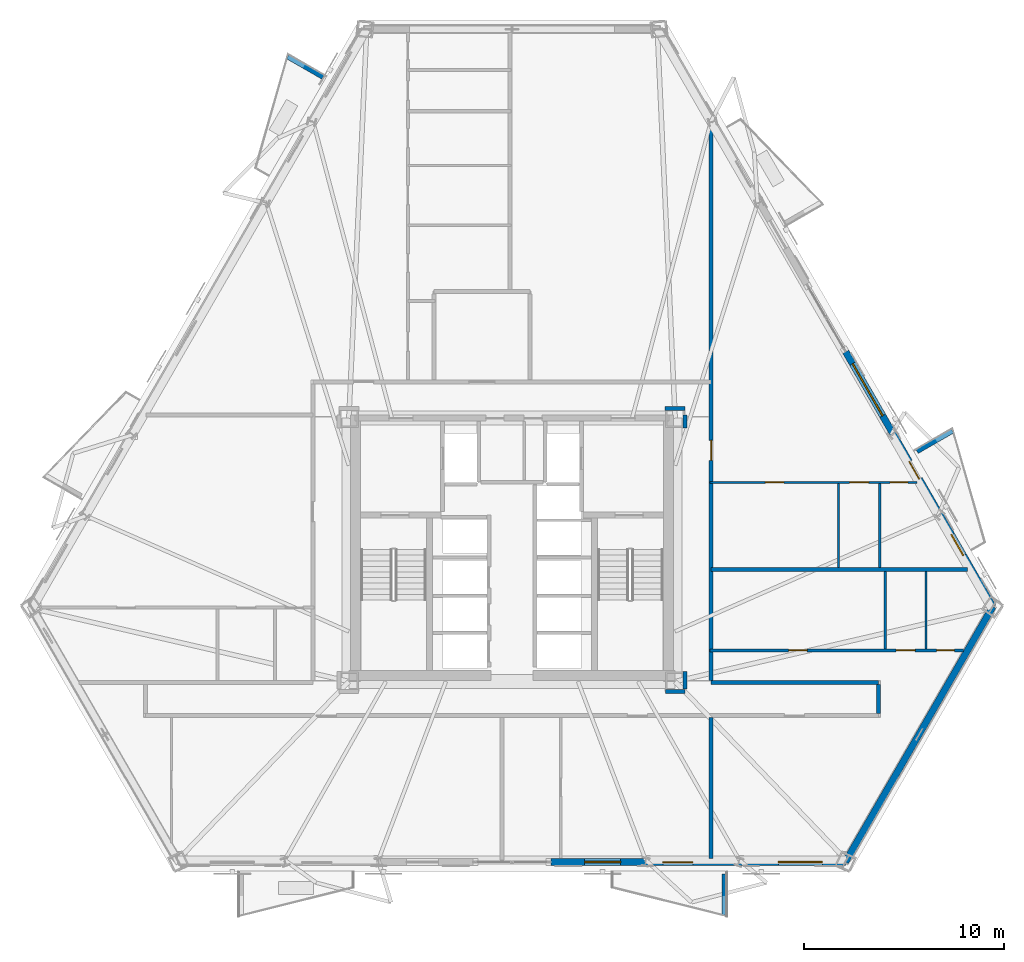
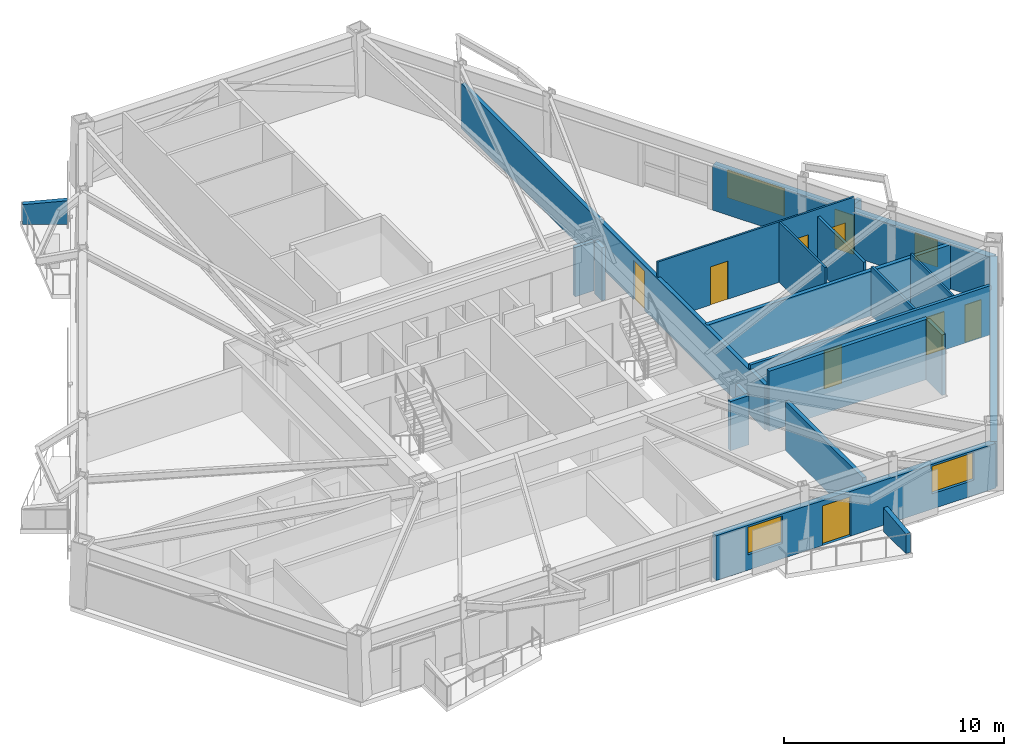
# One storey, part 8 of 15: 21 walls, 9 doors, 4 windows, 13 openings.
"""IFC4 building model written with IfcOpenShell, lengths in metres."""

from ifc_helpers import new_model, si_unit, direction, frame, frame_2d, origin, place, context, subcontext, project, spatial, polyline, rectangle, outline, extrude, material, layer, layer_set, type_object, element, fill, save


model = new_model("IFC4")

# Units and contexts
model_context = context("Model", 3, precision=1e-05, world=origin(), true_north=direction((0.0, 1.0)))
body_context = subcontext(model_context, "Body", "Model", "MODEL_VIEW")
ifc_project = project(units=[si_unit("LENGTHUNIT", "METRE"), si_unit("AREAUNIT", "SQUARE_METRE"), si_unit("VOLUMEUNIT", "CUBIC_METRE"), si_unit("PLANEANGLEUNIT", "RADIAN"), si_unit("MASSUNIT", "GRAM", prefix="KILO")], contexts=[model_context])

# Site, building, storey
site_placement = place(None, origin())
site = spatial("IfcSite", under=ifc_project, at=site_placement, CompositionType="ELEMENT")
building_placement = place(site_placement, origin())
building = spatial("IfcBuilding", under=site, at=building_placement, Name="Oramaril Tower", CompositionType="ELEMENT")
storey_placement = place(building_placement, frame((0.0, 0.0, 48.89990234375)))
storey = spatial("IfcBuildingStorey", under=building, at=storey_placement, Name="L12", CompositionType="ELEMENT", Elevation=48.89990234375)

# Wall, openings, door, windows
ifc_material_1 = material(Name="Warm Cream Limestone", Category="masonry")
ifc_layer_1 = layer(ifc_material_1, 0.340087890625)
ifc_layer_set_1 = layer_set([ifc_layer_1], Name="WT-EXT34")
wall_type_1 = type_object("IfcWallType", Name="WT-EXT34", PredefinedType="SOLIDWALL", material=ifc_layer_set_1)
wall_1_placement = place(storey_placement, frame((39.449951171875, 1.978271484375, 0.0), z_axis=(0.0, 0.0, 1.0), x_axis=(1.0, 0.0, 0.0)))
wall_1 = element("IfcWall", 1, at=wall_1_placement, inside=storey, type_object=wall_type_1, Name="L12 Tower Limestone Facade Wall 2R", PredefinedType="SOLIDWALL", context=body_context, shape_type="SweptSolid", body=[
    extrude(rectangle(XDim=14.704345703125, YDim=0.340087890625, at=frame_2d((7.35205078125, 0.0))), origin(), (0.0, 0.0, 1.0), 2.494140625),
])
opening_1_placement = place(wall_1_placement, frame((5.58984375, 0.0, 0.0)))
opening_1 = element("IfcOpeningElement", 2, at=opening_1_placement, cuts=wall_1, Name="Opening D-L12-BAL-S2", PredefinedType="OPENING", context=body_context, shape_type="SweptSolid", body=[
    extrude(rectangle(XDim=1.5, YDim=2.199951171875, at=frame_2d((0.75, 1.10009765625))), frame((0.0, 0.169921875, 0.0), z_axis=(0.0, -1.0, 0.0), x_axis=(1.0, 0.0, 0.0)), (0.0, 0.0, 1.0), 0.340087890625),
])
opening_2_placement = place(wall_1_placement, frame((1.675537109375, 0.0, 0.85009765625)))
opening_2 = element("IfcOpeningElement", 3, at=opening_2_placement, cuts=wall_1, Name="Opening WN-06", PredefinedType="OPENING", context=body_context, shape_type="SweptSolid", body=[
    extrude(rectangle(XDim=1.800048828125, YDim=1.533935546875, at=frame_2d((0.89990234375, 0.76708984375))), frame((0.0, 0.169921875, 0.0), z_axis=(0.0, -1.0, 0.0), x_axis=(1.0, 0.0, 0.0)), (0.0, 0.0, 1.0), 0.340087890625),
])
opening_3_placement = place(wall_1_placement, frame((11.352783203125, 0.0, 0.85009765625)))
opening_3 = element("IfcOpeningElement", 4, at=opening_3_placement, cuts=wall_1, Name="Opening WN-04", PredefinedType="OPENING", context=body_context, shape_type="SweptSolid", body=[
    extrude(rectangle(XDim=2.199951171875, YDim=1.533935546875, at=frame_2d((1.10009765625, 0.76708984375))), frame((0.0, 0.169921875, 0.0), z_axis=(0.0, -1.0, 0.0), x_axis=(1.0, 0.0, 0.0)), (0.0, 0.0, 1.0), 0.340087890625),
])
ifc_material_2 = material(Name="Anodised Aluminium 6063-T6", Category="aluminium")
door_type_1 = type_object("IfcDoorType", Name="DT-BAL", OperationType="NOTDEFINED", PredefinedType="DOOR", material=ifc_material_2)
door_1_placement = place(opening_1_placement, origin())
door_1 = element("IfcDoor", 5, at=door_1_placement, inside=storey, type_object=door_type_1, Name="L12 Balcony Glazed Door L12-BAL-S2", OperationType="SINGLE_SWING_RIGHT", OverallHeight=2.199951171875, OverallWidth=1.5, PredefinedType="DOOR", context=body_context, shape_type="SweptSolid", body=[
    extrude(rectangle(XDim=1.5, YDim=2.199951171875, at=frame_2d((0.75, 1.10009765625))), frame((0.0, 0.02490234375, 0.0), z_axis=(0.0, -1.0, 0.0), x_axis=(1.0, 0.0, 0.0)), (0.0, 0.0, 1.0), 0.050048828125),
])
fill(opening_1, door_1)
ifc_material_3 = material(Name="Coastal Low-E Insulated Glass", Category="glass")
window_type_1 = type_object("IfcWindowType", Name="WNT-04", PartitioningType="SINGLE_PANEL", PredefinedType="WINDOW", material=ifc_material_3)
window_1_placement = place(opening_3_placement, origin())
window_1 = element("IfcWindow", 6, at=window_1_placement, inside=storey, type_object=window_type_1, Name="L12 Chicago Bay Window WN-04", OverallHeight=1.533935546875, OverallWidth=2.199951171875, PartitioningType="SINGLE_PANEL", PredefinedType="WINDOW", context=body_context, shape_type="SweptSolid", body=[
    extrude(rectangle(XDim=2.199951171875, YDim=1.533935546875, at=frame_2d((1.10009765625, 0.76708984375))), frame((0.0, 0.030029296875, 0.0), z_axis=(0.0, -1.0, 0.0), x_axis=(1.0, 0.0, 0.0)), (0.0, 0.0, 1.0), 0.06005859375),
])
fill(opening_3, window_1)
ifc_material_4 = material(Name="Coastal Low-E Insulated Glass", Category="glass")
window_type_2 = type_object("IfcWindowType", Name="WNT-06", PartitioningType="SINGLE_PANEL", PredefinedType="WINDOW", material=ifc_material_4)
window_2_placement = place(opening_2_placement, origin())
window_2 = element("IfcWindow", 7, at=window_2_placement, inside=storey, type_object=window_type_2, Name="L12 Chicago Bay Window WN-06", OverallHeight=1.533935546875, OverallWidth=1.800048828125, PartitioningType="SINGLE_PANEL", PredefinedType="WINDOW", context=body_context, shape_type="SweptSolid", body=[
    extrude(rectangle(XDim=1.800048828125, YDim=1.533935546875, at=frame_2d((0.89990234375, 0.76708984375))), frame((0.0, 0.030029296875, 0.0), z_axis=(0.0, -1.0, 0.0), x_axis=(1.0, 0.0, 0.0)), (0.0, 0.0, 1.0), 0.06005859375),
])
fill(opening_2, window_2)

# Wall
wall_2_placement = place(storey_placement, frame((54.154296875, 1.978271484375, 0.0), z_axis=(0.0, 0.0, 1.0), x_axis=(0.499999290135, 0.866025813625, 0.0)))
element("IfcWall", 8, at=wall_2_placement, inside=storey, type_object=wall_type_1, Name="L12 Tower Limestone Facade Wall 3M", PredefinedType="SOLIDWALL", context=body_context, shape_type="SweptSolid", body=[
    extrude(rectangle(XDim=14.7333984375, YDim=0.340087890625, at=frame_2d((7.36669921875, 0.0))), origin(), (0.0, 0.0, 1.0), 2.494140625),
])

# Wall, openings, door, windows
wall_3_placement = place(storey_placement, frame((61.52099609375, 14.73779296875, 0.0), z_axis=(0.0, 0.0, 1.0), x_axis=(-0.499992652499, 0.866029645824, 0.0)))
wall_3 = element("IfcWall", 9, at=wall_3_placement, inside=storey, type_object=wall_type_1, Name="L12 Tower Limestone Facade Wall 4L", PredefinedType="SOLIDWALL", context=body_context, shape_type="SweptSolid", body=[
    extrude(rectangle(XDim=14.704345703125, YDim=0.340087890625, at=frame_2d((7.35205078125, 0.0))), origin(), (0.0, 0.0, 1.0), 2.494140625),
])
opening_4_placement = place(wall_3_placement, frame((7.359375, 0.0, 0.0)))
opening_4 = element("IfcOpeningElement", 10, at=opening_4_placement, cuts=wall_3, Name="Opening D-L12-BAL-NE1", PredefinedType="OPENING", context=body_context, shape_type="SweptSolid", body=[
    extrude(rectangle(XDim=1.0, YDim=2.179931640625, at=frame_2d((0.5, 1.08984375))), frame((0.0, 0.169921875, 0.0), z_axis=(0.0, -1.0, 0.0), x_axis=(1.0, 0.0, 0.0)), (0.0, 0.0, 1.0), 0.340087890625),
])
opening_5_placement = place(wall_3_placement, frame((11.0146484375, 0.0, 0.85009765625)))
opening_5 = element("IfcOpeningElement", 11, at=opening_5_placement, cuts=wall_3, Name="Opening WN-10", PredefinedType="OPENING", context=body_context, shape_type="SweptSolid", body=[
    extrude(rectangle(XDim=3.0, YDim=1.533935546875, at=frame_2d((1.5, 0.76708984375))), frame((0.0, 0.169921875, 0.0), z_axis=(0.0, -1.0, 0.0), x_axis=(1.0, 0.0, 0.0)), (0.0, 0.0, 1.0), 0.340087890625),
])
opening_6_placement = place(wall_3_placement, frame((2.95458984375, 0.0, 0.85009765625)))
opening_6 = element("IfcOpeningElement", 12, at=opening_6_placement, cuts=wall_3, Name="Opening WN-09", PredefinedType="OPENING", context=body_context, shape_type="SweptSolid", body=[
    extrude(rectangle(XDim=1.199951171875, YDim=1.47998046875, at=frame_2d((0.60009765625, 0.739990234375))), frame((0.0, 0.169921875, 0.0), z_axis=(0.0, -1.0, 0.0), x_axis=(1.0, 0.0, 0.0)), (0.0, 0.0, 1.0), 0.340087890625),
])
ifc_material_5 = material(Name="Anodised Aluminium 6063-T6", Category="aluminium")
door_type_2 = type_object("IfcDoorType", Name="DT-BALN", OperationType="NOTDEFINED", PredefinedType="DOOR", material=ifc_material_5)
door_2_placement = place(opening_4_placement, origin())
door_2 = element("IfcDoor", 13, at=door_2_placement, inside=storey, type_object=door_type_2, Name="L12 Balcony Glazed Door L12-BAL-NE1", OperationType="SINGLE_SWING_LEFT", OverallHeight=2.179931640625, OverallWidth=1.0, PredefinedType="DOOR", context=body_context, shape_type="SweptSolid", body=[
    extrude(rectangle(XDim=1.0, YDim=2.179931640625, at=frame_2d((0.5, 1.08984375))), frame((0.0, 0.02490234375, 0.0), z_axis=(0.0, -1.0, 0.0), x_axis=(1.0, 0.0, 0.0)), (0.0, 0.0, 1.0), 0.050048828125),
])
fill(opening_4, door_2)
ifc_material_6 = material(Name="Coastal Low-E Insulated Glass", Category="glass")
window_type_3 = type_object("IfcWindowType", Name="WNT-09", PartitioningType="SINGLE_PANEL", PredefinedType="WINDOW", material=ifc_material_6)
window_3_placement = place(opening_6_placement, origin())
window_3 = element("IfcWindow", 14, at=window_3_placement, inside=storey, type_object=window_type_3, Name="L12 Chicago Bay Window WN-09", OverallHeight=1.47998046875, OverallWidth=1.199951171875, PartitioningType="SINGLE_PANEL", PredefinedType="WINDOW", context=body_context, shape_type="SweptSolid", body=[
    extrude(rectangle(XDim=1.199951171875, YDim=1.47998046875, at=frame_2d((0.60009765625, 0.739990234375))), frame((0.0, 0.030029296875, 0.0), z_axis=(0.0, -1.0, 0.0), x_axis=(1.0, 0.0, 0.0)), (0.0, 0.0, 1.0), 0.06005859375),
])
fill(opening_6, window_3)
ifc_material_7 = material(Name="Coastal Low-E Insulated Glass", Category="glass")
window_type_4 = type_object("IfcWindowType", Name="WNT-10", PartitioningType="SINGLE_PANEL", PredefinedType="WINDOW", material=ifc_material_7)
window_4_placement = place(opening_5_placement, origin())
window_4 = element("IfcWindow", 15, at=window_4_placement, inside=storey, type_object=window_type_4, Name="L12 Chicago Bay Window WN-10", OverallHeight=1.533935546875, OverallWidth=3.0, PartitioningType="SINGLE_PANEL", PredefinedType="WINDOW", context=body_context, shape_type="SweptSolid", body=[
    extrude(rectangle(XDim=3.0, YDim=1.533935546875, at=frame_2d((1.5, 0.76708984375))), frame((0.0, 0.030029296875, 0.0), z_axis=(0.0, -1.0, 0.0), x_axis=(1.0, 0.0, 0.0)), (0.0, 0.0, 1.0), 0.06005859375),
])
fill(opening_5, window_4)

# Walls
ifc_material_8 = material(Name="Concrete C40/50", Category="concrete")
ifc_layer_2 = layer(ifc_material_8, 0.22998046875)
ifc_layer_set_2 = layer_set([ifc_layer_2], Name="WT-PRP23")
wall_type_2 = type_object("IfcWallType", Name="WT-PRP23", PredefinedType="PARAPET", material=ifc_layer_set_2)
for number, where, z_axis, x_axis, name in (
    (16, (48.114990234375, 1.38037109375, 0.0), (0.0, 0.0, 1.0), (0.0, -1.0, 0.0), "L12 Trapezoidal Balcony Frame Cheek L12-BAL-S2-R"),
    (17, (57.73681640625, 22.48828125, 0.0), (0.0, 0.0, 1.0), (0.86596058014, 0.500112261042, 0.0), "L12 Trapezoidal Balcony Frame Cheek L12-BAL-NE1-R"),
    (18, (28.05810546875, 41.185791015625, 0.0), (0.0, 0.0, 1.0), (-0.866012356593, 0.500022597718, 0.0), "L12 Trapezoidal Balcony Frame Cheek L12-BAL-NW1-L"),
):
    element("IfcWall", number, at=place(storey_placement, frame(where, z_axis=z_axis, x_axis=x_axis)), inside=storey, type_object=wall_type_2, Name=name, PredefinedType="PARAPET", context=body_context, shape_type="SweptSolid", body=[
        extrude(outline(polyline([(0.0, 0.0), (2.0419921875, 0.0), (2.0419921875, 1.10009765625), (0.0, 1.320068359375), (0.0, 0.0)])), frame((0.0, 0.114990234375, 0.0), z_axis=(0.0, -1.0, 0.0), x_axis=(1.0, 0.0, 0.0)), (0.0, 0.0, 1.0), 0.22998046875),
    ])

# Wall, openings, doors
ifc_material_9 = material(Name="Acoustic Gypsum Board Partition")
ifc_layer_3 = layer(ifc_material_9, 0.10009765625)
ifc_layer_set_3 = layer_set([ifc_layer_3], Name="WT-PT10")
wall_type_3 = type_object("IfcWallType", Name="WT-PT10", PredefinedType="PARTITIONING", material=ifc_layer_set_3)
wall_4_placement = place(storey_placement, frame((47.39990234375, 20.949951171875, 0.0), z_axis=(0.0, 0.0, 1.0), x_axis=(1.0, 0.0, 0.0)))
wall_4 = element("IfcWall", 19, at=wall_4_placement, inside=storey, type_object=wall_type_3, Name="L12 Interior Partition PT-10", PredefinedType="PARTITIONING", context=body_context, shape_type="SweptSolid", body=[
    extrude(rectangle(XDim=10.33349609375, YDim=0.10009765625, at=frame_2d((5.166748046875, 0.0))), origin(), (0.0, 0.0, 1.0), 3.360107421875),
])
opening_7_placement = place(wall_4_placement, frame((2.760498046875, 0.0, 0.0)))
opening_7 = element("IfcOpeningElement", 20, at=opening_7_placement, cuts=wall_4, Name="Opening D-L12-10", PredefinedType="OPENING", context=body_context, shape_type="SweptSolid", body=[
    extrude(rectangle(XDim=0.919921875, YDim=2.1201171875, at=frame_2d((0.4599609375, 1.06005859375))), frame((0.0, 0.050048828125, 0.0), z_axis=(0.0, -1.0, 0.0), x_axis=(1.0, 0.0, 0.0)), (0.0, 0.0, 1.0), 0.10009765625),
])
opening_8_placement = place(wall_4_placement, frame((6.97119140625, 0.0, 0.0)))
opening_8 = element("IfcOpeningElement", 21, at=opening_8_placement, cuts=wall_4, Name="Opening D-L12-11", PredefinedType="OPENING", context=body_context, shape_type="SweptSolid", body=[
    extrude(rectangle(XDim=0.949951171875, YDim=2.10009765625, at=frame_2d((0.47509765625, 1.050048828125))), frame((0.0, 0.050048828125, 0.0), z_axis=(0.0, -1.0, 0.0), x_axis=(1.0, 0.0, 0.0)), (0.0, 0.0, 1.0), 0.10009765625),
])
opening_9_placement = place(wall_4_placement, frame((8.9912109375, 0.0, 0.0)))
opening_9 = element("IfcOpeningElement", 22, at=opening_9_placement, cuts=wall_4, Name="Opening D-L12-12", PredefinedType="OPENING", context=body_context, shape_type="SweptSolid", body=[
    extrude(rectangle(XDim=0.8798828125, YDim=2.080078125, at=frame_2d((0.43994140625, 1.0400390625))), frame((0.0, 0.050048828125, 0.0), z_axis=(0.0, -1.0, 0.0), x_axis=(1.0, 0.0, 0.0)), (0.0, 0.0, 1.0), 0.10009765625),
])
ifc_material_10 = material(Name="FSC Brazilian Freijo Hardwood", Category="wood")
door_type_3 = type_object("IfcDoorType", Name="DT-BATH", OperationType="NOTDEFINED", PredefinedType="DOOR", material=ifc_material_10)
door_3_placement = place(opening_9_placement, origin())
door_3 = element("IfcDoor", 23, at=door_3_placement, inside=storey, type_object=door_type_3, Name="L12 Flat L12-U5 Bathroom Door D-L12-12", OperationType="SINGLE_SWING_LEFT", OverallHeight=2.080078125, OverallWidth=0.8798828125, PredefinedType="DOOR", context=body_context, shape_type="SweptSolid", body=[
    extrude(rectangle(XDim=0.8798828125, YDim=2.080078125, at=frame_2d((0.43994140625, 1.0400390625))), frame((0.0, 0.02490234375, 0.0), z_axis=(0.0, -1.0, 0.0), x_axis=(1.0, 0.0, 0.0)), (0.0, 0.0, 1.0), 0.050048828125),
])
fill(opening_9, door_3)
ifc_material_11 = material(Name="FSC Brazilian Freijo Hardwood", Category="wood")
door_type_4 = type_object("IfcDoorType", Name="DT-BED", OperationType="NOTDEFINED", PredefinedType="DOOR", material=ifc_material_11)
door_4_placement = place(opening_7_placement, origin())
door_4 = element("IfcDoor", 24, at=door_4_placement, inside=storey, type_object=door_type_4, Name="L12 Flat L12-U5 Master Bedroom Door D-L12-10", OperationType="SINGLE_SWING_LEFT", OverallHeight=2.1201171875, OverallWidth=0.919921875, PredefinedType="DOOR", context=body_context, shape_type="SweptSolid", body=[
    extrude(rectangle(XDim=0.919921875, YDim=2.1201171875, at=frame_2d((0.4599609375, 1.06005859375))), frame((0.0, 0.02490234375, 0.0), z_axis=(0.0, -1.0, 0.0), x_axis=(1.0, 0.0, 0.0)), (0.0, 0.0, 1.0), 0.050048828125),
])
fill(opening_7, door_4)
ifc_material_12 = material(Name="FSC Brazilian Freijo Hardwood", Category="wood")
door_type_5 = type_object("IfcDoorType", Name="DT-STDY", OperationType="NOTDEFINED", PredefinedType="DOOR", material=ifc_material_12)
door_5_placement = place(opening_8_placement, origin())
door_5 = element("IfcDoor", 25, at=door_5_placement, inside=storey, type_object=door_type_5, Name="L12 Flat L12-U5 Kitchen Door D-L12-11", OperationType="SINGLE_SWING_RIGHT", OverallHeight=2.10009765625, OverallWidth=0.949951171875, PredefinedType="DOOR", context=body_context, shape_type="SweptSolid", body=[
    extrude(rectangle(XDim=0.949951171875, YDim=2.10009765625, at=frame_2d((0.47509765625, 1.050048828125))), frame((0.0, 0.02490234375, 0.0), z_axis=(0.0, -1.0, 0.0), x_axis=(1.0, 0.0, 0.0)), (0.0, 0.0, 1.0), 0.050048828125),
])
fill(opening_8, door_5)

# Walls
wall_5_placement = place(storey_placement, frame((53.820068359375, 16.7041015625, 0.0), z_axis=(0.0, 0.0, 1.0), x_axis=(0.0, 1.0, 0.0)))
element("IfcWall", 26, at=wall_5_placement, inside=storey, type_object=wall_type_3, Name="L12 Interior Partition PT-10", PredefinedType="PARTITIONING", context=body_context, shape_type="SweptSolid", body=[
    extrude(rectangle(XDim=4.19189453125, YDim=0.10009765625, at=frame_2d((2.095947265625, 0.0))), origin(), (0.0, 0.0, 1.0), 3.360107421875),
])
wall_6_placement = place(storey_placement, frame((58.18994140625, 12.634033203125, 0.0), z_axis=(0.0, 0.0, 1.0), x_axis=(0.0, 1.0, 0.0)))
element("IfcWall", 27, at=wall_6_placement, inside=storey, type_object=wall_type_3, Name="L12 Interior Partition PT-10", PredefinedType="PARTITIONING", context=body_context, shape_type="SweptSolid", body=[
    extrude(rectangle(XDim=3.862060546875, YDim=0.10009765625, at=frame_2d((1.93115234375, 0.0))), origin(), (0.0, 0.0, 1.0), 2.738037109375),
])
ifc_material_13 = material(Name="Acoustic Gypsum Board Partition")
ifc_layer_4 = layer(ifc_material_13, 0.1201171875)
ifc_layer_set_4 = layer_set([ifc_layer_4], Name="WT-PT12")
wall_type_4 = type_object("IfcWallType", Name="WT-PT12", PredefinedType="PARTITIONING", material=ifc_layer_set_4)
wall_7_placement = place(storey_placement, frame((56.139892578125, 12.634033203125, 0.0), z_axis=(0.0, 0.0, 1.0), x_axis=(0.0, 1.0, 0.0)))
element("IfcWall", 28, at=wall_7_placement, inside=storey, type_object=wall_type_4, Name="L12 Interior Partition PT-12", PredefinedType="PARTITIONING", context=body_context, shape_type="SweptSolid", body=[
    extrude(rectangle(XDim=3.862060546875, YDim=0.1201171875, at=frame_2d((1.93115234375, 0.0))), origin(), (0.0, 0.0, 1.0), 2.738037109375),
])
ifc_material_14 = material(Name="Acoustic Gypsum Board Partition")
ifc_layer_5 = layer(ifc_material_14, 0.139892578125)
ifc_layer_set_5 = layer_set([ifc_layer_5], Name="WT-PT14")
wall_type_5 = type_object("IfcWallType", Name="WT-PT14", PredefinedType="PARTITIONING", material=ifc_layer_set_5)
wall_8_placement = place(storey_placement, frame((55.8701171875, 16.7041015625, 0.0), z_axis=(0.0, 0.0, 1.0), x_axis=(0.0, 1.0, 0.0)))
element("IfcWall", 29, at=wall_8_placement, inside=storey, type_object=wall_type_5, Name="L12 Interior Partition PT-14", PredefinedType="PARTITIONING", context=body_context, shape_type="SweptSolid", body=[
    extrude(rectangle(XDim=4.19189453125, YDim=0.139892578125, at=frame_2d((2.095947265625, 0.0))), origin(), (0.0, 0.0, 1.0), 2.946044921875),
])

# Wall, openings, doors
ifc_material_15 = material(Name="Acoustic Gypsum Board Partition")
ifc_layer_6 = layer(ifc_material_15, 0.159912109375)
ifc_layer_set_6 = layer_set([ifc_layer_6], Name="WT-PT16")
wall_type_6 = type_object("IfcWallType", Name="WT-PT16", PredefinedType="PARTITIONING", material=ifc_layer_set_6)
wall_9_placement = place(storey_placement, frame((47.39990234375, 12.550048828125, 0.0), z_axis=(0.0, 0.0, 1.0), x_axis=(1.0, 0.0, 0.0)))
wall_9 = element("IfcWall", 30, at=wall_9_placement, inside=storey, type_object=wall_type_6, Name="L12 Interior Partition PT-16", PredefinedType="PARTITIONING", context=body_context, shape_type="SweptSolid", body=[
    extrude(rectangle(XDim=12.656982421875, YDim=0.159912109375, at=frame_2d((6.32861328125, 0.0))), origin(), (0.0, 0.0, 1.0), 2.738037109375),
])
opening_10_placement = place(wall_9_placement, frame((3.921630859375, 0.0, 0.0)))
opening_10 = element("IfcOpeningElement", 31, at=opening_10_placement, cuts=wall_9, Name="Opening D-L12-04", PredefinedType="OPENING", context=body_context, shape_type="SweptSolid", body=[
    extrude(rectangle(XDim=0.919921875, YDim=2.1201171875, at=frame_2d((0.4599609375, 1.06005859375))), frame((0.0, 0.080078125, 0.0), z_axis=(0.0, -1.0, 0.0), x_axis=(1.0, 0.0, 0.0)), (0.0, 0.0, 1.0), 0.159912109375),
])
opening_11_placement = place(wall_9_placement, frame((9.29345703125, 0.0, 0.0)))
opening_11 = element("IfcOpeningElement", 32, at=opening_11_placement, cuts=wall_9, Name="Opening D-L12-05", PredefinedType="OPENING", context=body_context, shape_type="SweptSolid", body=[
    extrude(rectangle(XDim=0.949951171875, YDim=2.10009765625, at=frame_2d((0.47509765625, 1.050048828125))), frame((0.0, 0.080078125, 0.0), z_axis=(0.0, -1.0, 0.0), x_axis=(1.0, 0.0, 0.0)), (0.0, 0.0, 1.0), 0.159912109375),
])
opening_12_placement = place(wall_9_placement, frame((11.3134765625, 0.0, 0.0)))
opening_12 = element("IfcOpeningElement", 33, at=opening_12_placement, cuts=wall_9, Name="Opening D-L12-06", PredefinedType="OPENING", context=body_context, shape_type="SweptSolid", body=[
    extrude(rectangle(XDim=0.8798828125, YDim=2.080078125, at=frame_2d((0.43994140625, 1.0400390625))), frame((0.0, 0.080078125, 0.0), z_axis=(0.0, -1.0, 0.0), x_axis=(1.0, 0.0, 0.0)), (0.0, 0.0, 1.0), 0.159912109375),
])
door_6_placement = place(opening_12_placement, origin())
door_6 = element("IfcDoor", 34, at=door_6_placement, inside=storey, type_object=door_type_3, Name="L12 Flat L12-U4 Bathroom Door D-L12-06", OperationType="SINGLE_SWING_LEFT", OverallHeight=2.080078125, OverallWidth=0.8798828125, PredefinedType="DOOR", context=body_context, shape_type="SweptSolid", body=[
    extrude(rectangle(XDim=0.8798828125, YDim=2.080078125, at=frame_2d((0.43994140625, 1.0400390625))), frame((0.0, 0.02490234375, 0.0), z_axis=(0.0, -1.0, 0.0), x_axis=(1.0, 0.0, 0.0)), (0.0, 0.0, 1.0), 0.050048828125),
])
fill(opening_12, door_6)
door_7_placement = place(opening_10_placement, origin())
door_7 = element("IfcDoor", 35, at=door_7_placement, inside=storey, type_object=door_type_4, Name="L12 Flat L12-U4 Master Bedroom Door D-L12-04", OperationType="SINGLE_SWING_LEFT", OverallHeight=2.1201171875, OverallWidth=0.919921875, PredefinedType="DOOR", context=body_context, shape_type="SweptSolid", body=[
    extrude(rectangle(XDim=0.919921875, YDim=2.1201171875, at=frame_2d((0.4599609375, 1.06005859375))), frame((0.0, 0.02490234375, 0.0), z_axis=(0.0, -1.0, 0.0), x_axis=(1.0, 0.0, 0.0)), (0.0, 0.0, 1.0), 0.050048828125),
])
fill(opening_10, door_7)
door_8_placement = place(opening_11_placement, origin())
door_8 = element("IfcDoor", 36, at=door_8_placement, inside=storey, type_object=door_type_5, Name="L12 Flat L12-U4 Kitchen Door D-L12-05", OperationType="SINGLE_SWING_RIGHT", OverallHeight=2.10009765625, OverallWidth=0.949951171875, PredefinedType="DOOR", context=body_context, shape_type="SweptSolid", body=[
    extrude(rectangle(XDim=0.949951171875, YDim=2.10009765625, at=frame_2d((0.47509765625, 1.050048828125))), frame((0.0, 0.02490234375, 0.0), z_axis=(0.0, -1.0, 0.0), x_axis=(1.0, 0.0, 0.0)), (0.0, 0.0, 1.0), 0.050048828125),
])
fill(opening_11, door_8)

# Walls
ifc_material_16 = material(Name="Autoclaved Cellular Concrete Block", Category="concrete")
ifc_layer_7 = layer(ifc_material_16, 0.199951171875)
ifc_layer_set_7 = layer_set([ifc_layer_7], Name="WT-PT20")
wall_type_7 = type_object("IfcWallType", Name="WT-PT20", PredefinedType="PARTITIONING", material=ifc_layer_set_7)
wall_10_placement = place(storey_placement, frame((45.159912109375, 10.510009765625, 0.0), z_axis=(0.0, 0.0, 1.0), x_axis=(1.0, 0.0, 0.0)))
element("IfcWall", 37, at=wall_10_placement, inside=storey, type_object=wall_type_7, Name="L12 Interior Partition PT-20", PredefinedType="PARTITIONING", context=body_context, shape_type="SweptSolid", body=[
    extrude(rectangle(XDim=0.97998046875, YDim=0.199951171875, at=frame_2d((0.489990234375, 0.0))), origin(), (0.0, 0.0, 1.0), 2.738037109375),
])
wall_11_placement = place(storey_placement, frame((47.449951171875, 10.949951171875, 0.0), z_axis=(0.0, 0.0, 1.0), x_axis=(1.0, 0.0, 0.0)))
element("IfcWall", 38, at=wall_11_placement, inside=storey, type_object=wall_type_7, Name="L12 Interior Partition PT-20", PredefinedType="PARTITIONING", context=body_context, shape_type="SweptSolid", body=[
    extrude(rectangle(XDim=8.35009765625, YDim=0.199951171875, at=frame_2d((4.175048828125, 0.0))), origin(), (0.0, 0.0, 1.0), 3.360107421875),
])
wall_12_placement = place(storey_placement, frame((47.449951171875, 16.60009765625, 0.0), z_axis=(0.0, 0.0, 1.0), x_axis=(1.0, 0.0, 0.0)))
element("IfcWall", 39, at=wall_12_placement, inside=storey, type_object=wall_type_7, Name="L12 Interior Partition PT-20", PredefinedType="PARTITIONING", context=body_context, shape_type="SweptSolid", body=[
    extrude(rectangle(XDim=12.794921875, YDim=0.199951171875, at=frame_2d((6.3974609375, 0.0))), origin(), (0.0, 0.0, 1.0), 2.494140625),
])
wall_13_placement = place(storey_placement, frame((45.155029296875, 24.639892578125, 0.0), z_axis=(0.0, 0.0, 1.0), x_axis=(1.0, 0.0, 0.0)))
element("IfcWall", 40, at=wall_13_placement, inside=storey, type_object=wall_type_7, Name="L12 Interior Partition PT-20", PredefinedType="PARTITIONING", context=body_context, shape_type="SweptSolid", body=[
    extrude(rectangle(XDim=0.989990234375, YDim=0.199951171875, at=frame_2d((0.4951171875, 0.0))), origin(), (0.0, 0.0, 1.0), 2.738037109375),
])
wall_14_placement = place(storey_placement, frame((46.14990234375, 10.614013671875, 0.0), z_axis=(0.0, 0.0, 1.0), x_axis=(0.0, 1.0, 0.0)))
element("IfcWall", 41, at=wall_14_placement, inside=storey, type_object=wall_type_7, Name="L12 Interior Partition PT-20", PredefinedType="PARTITIONING", context=body_context, shape_type="SweptSolid", body=[
    extrude(rectangle(XDim=0.881103515625, YDim=0.199951171875, at=frame_2d((0.4404296875, 0.0))), origin(), (0.0, 0.0, 1.0), 2.738037109375),
])
wall_15_placement = place(storey_placement, frame((46.14990234375, 23.655029296875, 0.0), z_axis=(0.0, 0.0, 1.0), x_axis=(0.0, 1.0, 0.0)))
element("IfcWall", 42, at=wall_15_placement, inside=storey, type_object=wall_type_7, Name="L12 Interior Partition PT-20", PredefinedType="PARTITIONING", context=body_context, shape_type="SweptSolid", body=[
    extrude(rectangle(XDim=0.6650390625, YDim=0.199951171875, at=frame_2d((0.33251953125, 0.0))), origin(), (0.0, 0.0, 1.0), 2.946044921875),
])
wall_16_placement = place(storey_placement, frame((47.449951171875, 2.15234375, 0.0), z_axis=(0.0, 0.0, 1.0), x_axis=(0.0, 1.0, 0.0)))
element("IfcWall", 43, at=wall_16_placement, inside=storey, type_object=wall_type_7, Name="L12 Interior Partition PT-20", PredefinedType="PARTITIONING", context=body_context, shape_type="SweptSolid", body=[
    extrude(rectangle(XDim=7.043701171875, YDim=0.199951171875, at=frame_2d((3.52197265625, 0.0))), origin(), (0.0, 0.0, 1.0), 2.738037109375),
])

# Wall, opening, door
wall_17_placement = place(storey_placement, frame((47.449951171875, 11.053955078125, 0.0), z_axis=(0.0, 0.0, 1.0), x_axis=(0.0, 1.0, 0.0)))
wall_17 = element("IfcWall", 44, at=wall_17_placement, inside=storey, type_object=wall_type_7, Name="L12 Interior Partition PT-20", PredefinedType="PARTITIONING", context=body_context, shape_type="SweptSolid", body=[
    extrude(rectangle(XDim=27.682861328125, YDim=0.199951171875, at=frame_2d((13.84130859375, 0.0))), origin(), (0.0, 0.0, 1.0), 2.494140625),
])
opening_13_placement = place(wall_17_placement, frame((10.989013671875, 0.0, 0.0)))
opening_13 = element("IfcOpeningElement", 45, at=opening_13_placement, cuts=wall_17, Name="Opening D-L12-24", PredefinedType="OPENING", context=body_context, shape_type="SweptSolid", body=[
    extrude(rectangle(XDim=1.0, YDim=2.179931640625, at=frame_2d((0.5, 1.08984375))), frame((0.0, 0.10009765625, 0.0), z_axis=(0.0, -1.0, 0.0), x_axis=(1.0, 0.0, 0.0)), (0.0, 0.0, 1.0), 0.199951171875),
])
ifc_material_17 = material(Name="FSC Brazilian Freijo Hardwood", Category="wood")
door_type_6 = type_object("IfcDoorType", Name="DT-APT", OperationType="NOTDEFINED", PredefinedType="DOOR", material=ifc_material_17)
door_9_placement = place(opening_13_placement, origin())
door_9 = element("IfcDoor", 46, at=door_9_placement, inside=storey, type_object=door_type_6, Name="L12 Flat L12-U5 Penthouse Living and Dining Room Door D-L12-24", OperationType="SINGLE_SWING_LEFT", OverallHeight=2.179931640625, OverallWidth=1.0, PredefinedType="DOOR", context=body_context, shape_type="SweptSolid", body=[
    extrude(rectangle(XDim=1.0, YDim=2.179931640625, at=frame_2d((0.5, 1.08984375))), frame((0.0, 0.02490234375, 0.0), z_axis=(0.0, -1.0, 0.0), x_axis=(1.0, 0.0, 0.0)), (0.0, 0.0, 1.0), 0.050048828125),
])
fill(opening_13, door_9)

# Wall
wall_18_placement = place(storey_placement, frame((55.800048828125, 9.404052734375, 0.0), z_axis=(0.0, 0.0, 1.0), x_axis=(0.0, 1.0, 0.0)))
element("IfcWall", 47, at=wall_18_placement, inside=storey, type_object=wall_type_7, Name="L12 Interior Partition PT-20", PredefinedType="PARTITIONING", context=body_context, shape_type="SweptSolid", body=[
    extrude(rectangle(XDim=1.44189453125, YDim=0.199951171875, at=frame_2d((0.720947265625, 0.0))), origin(), (0.0, 0.0, 1.0), 3.360107421875),
])

save(model, "model.ifc")
